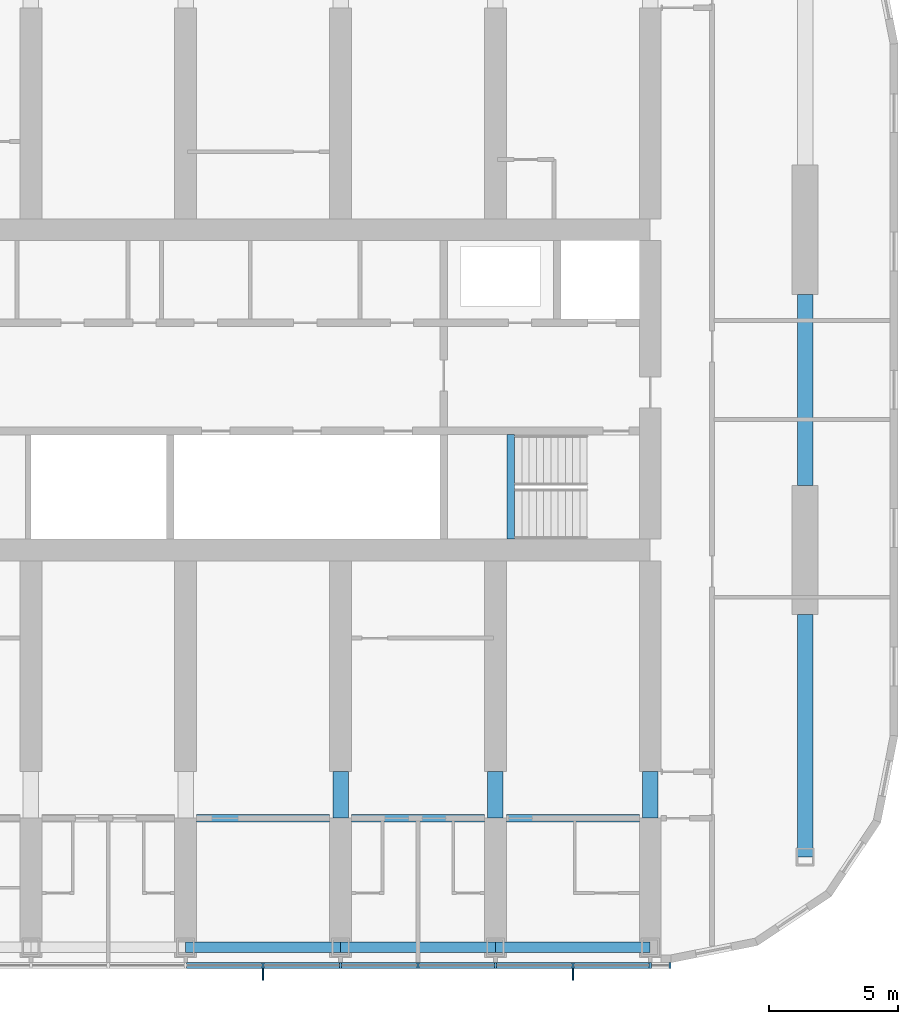
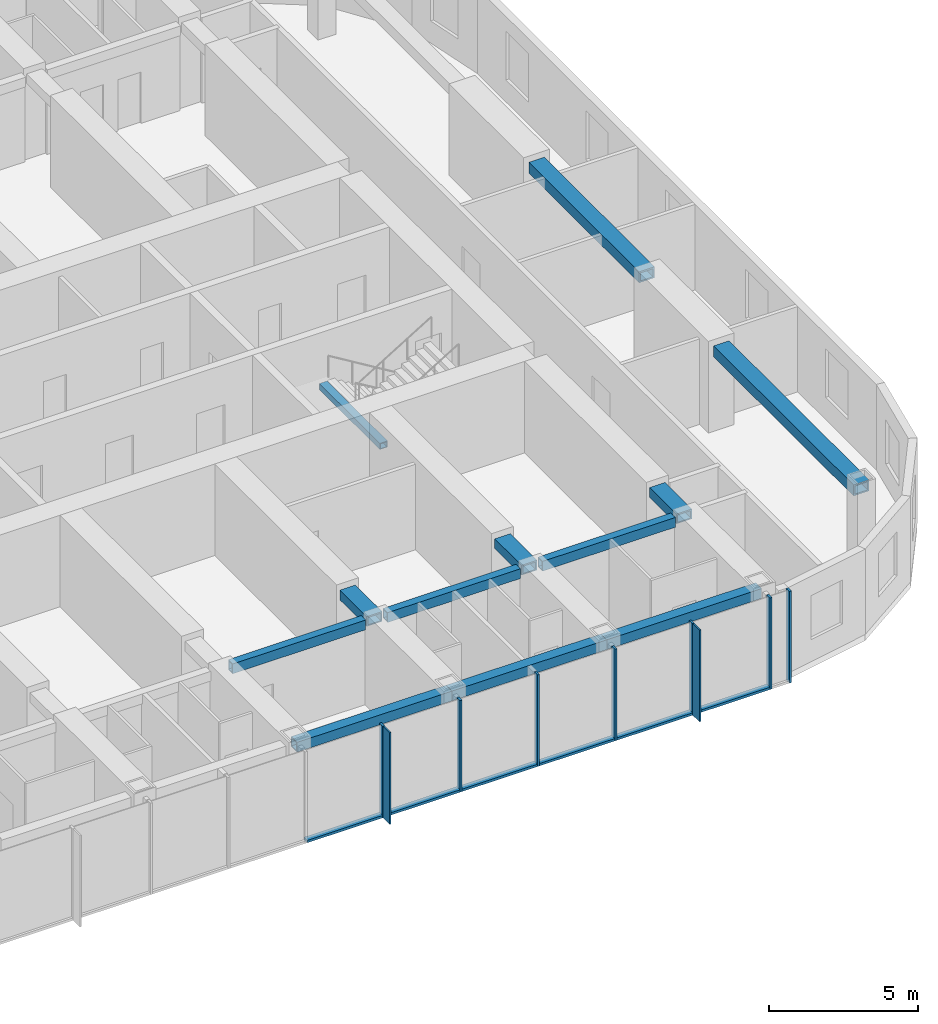
# One storey, part 3 of 22: 15 members, 12 beams, 1 element without a shape of its own.
"""IFC4 building model written with IfcOpenShell, lengths in metres."""

from ifc_helpers import new_model, si_unit, direction, frame, origin, origin_2d, place, context, subcontext, project, spatial, rectangle, hollow_rectangle, extrude, material, material_profile, profile_set, type_object, element, aggregate, save


model = new_model("IFC4")

# Units and contexts
model_context = context("Model", 3, precision=1e-05, world=origin(), true_north=direction((0.0, 1.0)))
body_context = subcontext(model_context, "Body", "Model", "MODEL_VIEW")
ifc_project = project(units=[si_unit("LENGTHUNIT", "METRE"), si_unit("AREAUNIT", "SQUARE_METRE"), si_unit("VOLUMEUNIT", "CUBIC_METRE"), si_unit("PLANEANGLEUNIT", "RADIAN"), si_unit("MASSUNIT", "GRAM", prefix="KILO")], contexts=[model_context])

# Site, building, storey
site_placement = place(None, origin())
site = spatial("IfcSite", under=ifc_project, at=site_placement, CompositionType="ELEMENT")
building_placement = place(site_placement, origin())
building = spatial("IfcBuilding", under=site, at=building_placement, Name="Orbita Commons", CompositionType="ELEMENT")
storey_placement = place(building_placement, frame((0.0, 0.0, 167.35009765625)))
storey = spatial("IfcBuildingStorey", under=building, at=storey_placement, Name="L41", CompositionType="ELEMENT", Elevation=167.35009765625)

# Curtain wall, members
ifc_material_1 = material(Name="Anodised aluminium frame, pale silver", Category="aluminium")
curtain_wall_type = type_object("IfcCurtainWallType", Name="Unitised curtain wall CW-U, full-height vision", PredefinedType="NOTDEFINED", material=ifc_material_1)
curtain_wall_placement = place(storey_placement, origin())
curtain_wall = element("IfcCurtainWall", 1, at=curtain_wall_placement, inside=storey, type_object=curtain_wall_type, Name="Curtain wall south L41", PredefinedType="NOTDEFINED")
ifc_material_2 = material(Name="Anodised aluminium, pale silver", Category="aluminium")
ifc_material_profile_1 = material_profile(ifc_material_2, rectangle(XDim=0.080078125, YDim=0.219970703125, at=origin_2d()), Name="AL 80x220")
ifc_profile_set_1 = profile_set([ifc_material_profile_1], Name="Anodised aluminium, pale silver")
member_type_1 = type_object("IfcMemberType", Name="Curtain wall mullion 80x220", PredefinedType="MULLION", material=ifc_profile_set_1)
member_1_placement = place(storey_placement, frame((51.0, 9.68994140625, -0.25), z_axis=(0.0, 0.0, 1.0), x_axis=(1.0, 0.0, 0.0)))
member_1 = element("IfcMember", 2, at=member_1_placement, type_object=member_type_1, Name="Mullion 13 CW-L41-S", PredefinedType="MULLION", context=body_context, shape_type="SweptSolid", body=[
    extrude(rectangle(XDim=0.080078125, YDim=0.219970703125, at=origin_2d()), origin(), (0.0, 0.0, 1.0), 3.75),
])
member_2_placement = place(storey_placement, frame((54.0, 9.68994140625, -0.25), z_axis=(0.0, 0.0, 1.0), x_axis=(1.0, 0.0, 0.0)))
member_2 = element("IfcMember", 3, at=member_2_placement, type_object=member_type_1, Name="Mullion 14 CW-L41-S", PredefinedType="MULLION", context=body_context, shape_type="SweptSolid", body=[
    extrude(rectangle(XDim=0.080078125, YDim=0.219970703125, at=origin_2d()), origin(), (0.0, 0.0, 1.0), 3.75),
])
member_3_placement = place(storey_placement, frame((57.0, 9.68994140625, -0.25), z_axis=(0.0, 0.0, 1.0), x_axis=(1.0, 0.0, 0.0)))
member_3 = element("IfcMember", 4, at=member_3_placement, type_object=member_type_1, Name="Mullion 15 CW-L41-S", PredefinedType="MULLION", context=body_context, shape_type="SweptSolid", body=[
    extrude(rectangle(XDim=0.080078125, YDim=0.219970703125, at=origin_2d()), origin(), (0.0, 0.0, 1.0), 3.75),
])
member_4_placement = place(storey_placement, frame((60.0, 9.68994140625, -0.25), z_axis=(0.0, 0.0, 1.0), x_axis=(1.0, 0.0, 0.0)))
member_4 = element("IfcMember", 5, at=member_4_placement, type_object=member_type_1, Name="Mullion 16 CW-L41-S", PredefinedType="MULLION", context=body_context, shape_type="SweptSolid", body=[
    extrude(rectangle(XDim=0.080078125, YDim=0.219970703125, at=origin_2d()), origin(), (0.0, 0.0, 1.0), 3.75),
])
member_5_placement = place(storey_placement, frame((63.0, 9.68994140625, -0.25), z_axis=(0.0, 0.0, 1.0), x_axis=(1.0, 0.0, 0.0)))
member_5 = element("IfcMember", 6, at=member_5_placement, type_object=member_type_1, Name="Mullion 17 CW-L41-S", PredefinedType="MULLION", context=body_context, shape_type="SweptSolid", body=[
    extrude(rectangle(XDim=0.080078125, YDim=0.219970703125, at=origin_2d()), origin(), (0.0, 0.0, 1.0), 3.75),
])
member_6_placement = place(storey_placement, frame((66.0, 9.68994140625, -0.25), z_axis=(0.0, 0.0, 1.0), x_axis=(1.0, 0.0, 0.0)))
member_6 = element("IfcMember", 7, at=member_6_placement, type_object=member_type_1, Name="Mullion 18 CW-L41-S", PredefinedType="MULLION", context=body_context, shape_type="SweptSolid", body=[
    extrude(rectangle(XDim=0.080078125, YDim=0.219970703125, at=origin_2d()), origin(), (0.0, 0.0, 1.0), 3.75),
])
member_7_placement = place(storey_placement, frame((66.760009765625, 9.68994140625, -0.25), z_axis=(0.0, 0.0, 1.0), x_axis=(1.0, 0.0, 0.0)))
member_7 = element("IfcMember", 8, at=member_7_placement, type_object=member_type_1, Name="Mullion 19 CW-L41-S", PredefinedType="MULLION", context=body_context, shape_type="SweptSolid", body=[
    extrude(rectangle(XDim=0.080078125, YDim=0.219970703125, at=origin_2d()), origin(), (0.0, 0.0, 1.0), 3.75),
])
ifc_material_3 = material(Name="Anodised aluminium, pale silver", Category="aluminium")
ifc_material_profile_2 = material_profile(ifc_material_3, rectangle(XDim=0.219970703125, YDim=0.10009765625, at=origin_2d()), Name="AL 220x100")
ifc_profile_set_2 = profile_set([ifc_material_profile_2], Name="Anodised aluminium, pale silver")
member_type_2 = type_object("IfcMemberType", Name="Curtain wall stack transom 220x100", PredefinedType="USERDEFINED", material=ifc_profile_set_2)
member_8_placement = place(storey_placement, frame((48.0400390625, 9.68994140625, -0.2001953125), z_axis=(1.0, 0.0, 0.0), x_axis=(0.0, 1.0, 0.0)))
member_8 = element("IfcMember", 9, at=member_8_placement, type_object=member_type_2, Name="Transom 12.1 CW-L41-S", ObjectType="TRANSOM", PredefinedType="USERDEFINED", context=body_context, shape_type="SweptSolid", body=[
    extrude(rectangle(XDim=0.219970703125, YDim=0.10009765625, at=origin_2d()), origin(), (0.0, 0.0, 1.0), 2.919921875),
])
member_9_placement = place(storey_placement, frame((51.0400390625, 9.68994140625, -0.2001953125), z_axis=(1.0, 0.0, 0.0), x_axis=(0.0, 1.0, 0.0)))
member_9 = element("IfcMember", 10, at=member_9_placement, type_object=member_type_2, Name="Transom 13.1 CW-L41-S", ObjectType="TRANSOM", PredefinedType="USERDEFINED", context=body_context, shape_type="SweptSolid", body=[
    extrude(rectangle(XDim=0.219970703125, YDim=0.10009765625, at=origin_2d()), origin(), (0.0, 0.0, 1.0), 2.919921875),
])
member_10_placement = place(storey_placement, frame((54.0400390625, 9.68994140625, -0.2001953125), z_axis=(1.0, 0.0, 0.0), x_axis=(0.0, 1.0, 0.0)))
member_10 = element("IfcMember", 11, at=member_10_placement, type_object=member_type_2, Name="Transom 14.1 CW-L41-S", ObjectType="TRANSOM", PredefinedType="USERDEFINED", context=body_context, shape_type="SweptSolid", body=[
    extrude(rectangle(XDim=0.219970703125, YDim=0.10009765625, at=origin_2d()), origin(), (0.0, 0.0, 1.0), 2.919921875),
])
member_11_placement = place(storey_placement, frame((57.0400390625, 9.68994140625, -0.2001953125), z_axis=(1.0, 0.0, 0.0), x_axis=(0.0, 1.0, 0.0)))
member_11 = element("IfcMember", 12, at=member_11_placement, type_object=member_type_2, Name="Transom 15.1 CW-L41-S", ObjectType="TRANSOM", PredefinedType="USERDEFINED", context=body_context, shape_type="SweptSolid", body=[
    extrude(rectangle(XDim=0.219970703125, YDim=0.10009765625, at=origin_2d()), origin(), (0.0, 0.0, 1.0), 2.919921875),
])
member_12_placement = place(storey_placement, frame((60.0400390625, 9.68994140625, -0.2001953125), z_axis=(1.0, 0.0, 0.0), x_axis=(0.0, 1.0, 0.0)))
member_12 = element("IfcMember", 13, at=member_12_placement, type_object=member_type_2, Name="Transom 16.1 CW-L41-S", ObjectType="TRANSOM", PredefinedType="USERDEFINED", context=body_context, shape_type="SweptSolid", body=[
    extrude(rectangle(XDim=0.219970703125, YDim=0.10009765625, at=origin_2d()), origin(), (0.0, 0.0, 1.0), 2.919921875),
])
member_13_placement = place(storey_placement, frame((63.0400390625, 9.68994140625, -0.2001953125), z_axis=(1.0, 0.0, 0.0), x_axis=(0.0, 1.0, 0.0)))
member_13 = element("IfcMember", 14, at=member_13_placement, type_object=member_type_2, Name="Transom 17.1 CW-L41-S", ObjectType="TRANSOM", PredefinedType="USERDEFINED", context=body_context, shape_type="SweptSolid", body=[
    extrude(rectangle(XDim=0.219970703125, YDim=0.10009765625, at=origin_2d()), origin(), (0.0, 0.0, 1.0), 2.919921875),
])

# Beams
ifc_material_4 = material(Name="Steel ASTM A572 Gr 50 welded plate", Category="steel")
ifc_material_profile_3 = material_profile(ifc_material_4, hollow_rectangle(XDim=0.300048828125, YDim=0.25, WallThickness=0.02490234375, at=origin_2d()), Name="BOX 250x300x25")
ifc_profile_set_3 = profile_set([ifc_material_profile_3], Name="Steel ASTM A572 Gr 50 welded plate")
beam_type_1 = type_object("IfcBeamType", Name="Stair landing beam steel BOX 250x300x25", PredefinedType="BEAM", material=ifc_profile_set_3)
beam_1_placement = place(storey_placement, frame((60.60009765625, 26.2099609375, 1.5498046875), z_axis=(0.0, 1.0, 0.0), x_axis=(-1.0, 0.0, 0.0)))
element("IfcBeam", 15, at=beam_1_placement, inside=storey, type_object=beam_type_1, Name="Stair S2 landing beam L41 1", PredefinedType="BEAM", context=body_context, shape_type="SweptSolid", body=[
    extrude(hollow_rectangle(XDim=0.300048828125, YDim=0.25, WallThickness=0.02490234375, at=origin_2d()), origin(), (0.0, 0.0, 1.0), 4.054931640625),
])
ifc_material_5 = material(Name="Steel ASTM A572 Gr 50 welded plate", Category="steel")
ifc_material_profile_4 = material_profile(ifc_material_5, hollow_rectangle(XDim=0.300048828125, YDim=0.39990234375, WallThickness=0.0400390625, at=origin_2d()), Name="BOX 400x300x40")
ifc_profile_set_4 = profile_set([ifc_material_profile_4], Name="Steel ASTM A572 Gr 50 welded plate")
beam_type_2 = type_object("IfcBeamType", Name="Steel corridor link BOX 400x300x40", PredefinedType="BEAM", material=ifc_profile_set_4)
for number, where, z_axis, x_axis, name in (
    (16, (48.425048828125, 15.39990234375, 3.2998046875), (1.0, 0.0, 0.0), (0.0, 1.0, 0.0), "Corridor beam SA 9-10 L41"),
    (17, (54.425048828125, 15.39990234375, 3.2998046875), (1.0, 0.0, 0.0), (0.0, 1.0, 0.0), "Corridor beam SA 10-11 L41"),
    (18, (60.425048828125, 15.39990234375, 3.2998046875), (1.0, 0.0, 0.0), (0.0, 1.0, 0.0), "Corridor beam SA 11-12 L41"),
):
    element("IfcBeam", number, at=place(storey_placement, frame(where, z_axis=z_axis, x_axis=x_axis)), inside=storey, type_object=beam_type_2, Name=name, PredefinedType="BEAM", context=body_context, shape_type="SweptSolid", body=[
        extrude(hollow_rectangle(XDim=0.300048828125, YDim=0.39990234375, WallThickness=0.0400390625, at=origin_2d()), origin(), (0.0, 0.0, 1.0), 5.14990234375),
    ])
ifc_material_6 = material(Name="Steel ASTM A572 Gr 50 welded plate", Category="steel")
ifc_material_profile_5 = material_profile(ifc_material_6, hollow_rectangle(XDim=0.60009765625, YDim=0.39990234375, WallThickness=0.050048828125, at=origin_2d()), Name="BOX 400x600x50")
ifc_profile_set_5 = profile_set([ifc_material_profile_5], Name="Steel ASTM A572 Gr 50 welded plate")
beam_type_3 = type_object("IfcBeamType", Name="Steel coupling link BOX 400x600x50", PredefinedType="LINTEL", material=ifc_profile_set_5)
for number, where, z_axis, x_axis, name in (
    (19, (54.0, 15.39990234375, 3.2998046875), (0.0, 1.0, 0.0), (-1.0, 0.0, 0.0), "Coupling beam 10 south L41"),
    (20, (60.0, 15.39990234375, 3.2998046875), (0.0, 1.0, 0.0), (-1.0, 0.0, 0.0), "Coupling beam 11 south L41"),
    (21, (66.0, 15.39990234375, 3.2998046875), (0.0, 1.0, 0.0), (-1.0, 0.0, 0.0), "Coupling beam 12 south L41"),
):
    element("IfcBeam", number, at=place(storey_placement, frame(where, z_axis=z_axis, x_axis=x_axis)), inside=storey, type_object=beam_type_3, Name=name, PredefinedType="LINTEL", context=body_context, shape_type="SweptSolid", body=[
        extrude(hollow_rectangle(XDim=0.60009765625, YDim=0.39990234375, WallThickness=0.050048828125, at=origin_2d()), origin(), (0.0, 0.0, 1.0), 1.800048828125),
    ])
ifc_material_7 = material(Name="Steel ASTM A572 Gr 50 welded plate", Category="steel")
ifc_material_profile_6 = material_profile(ifc_material_7, hollow_rectangle(XDim=0.60009765625, YDim=0.449951171875, WallThickness=0.06005859375, at=origin_2d()), Name="BOX 450x600x60")
ifc_profile_set_6 = profile_set([ifc_material_profile_6], Name="Steel ASTM A572 Gr 50 welded plate")
beam_type_4 = type_object("IfcBeamType", Name="Steel end frame link BOX 450x600x60", PredefinedType="BEAM", material=ifc_profile_set_6)
beam_2_placement = place(storey_placement, frame((72.0, 13.89990234375, 3.27490234375), z_axis=(0.0, 1.0, 0.0), x_axis=(-1.0, 0.0, 0.0)))
element("IfcBeam", 22, at=beam_2_placement, inside=storey, type_object=beam_type_4, Name="End frame beam 13 B-C L41", PredefinedType="BEAM", context=body_context, shape_type="SweptSolid", body=[
    extrude(hollow_rectangle(XDim=0.60009765625, YDim=0.449951171875, WallThickness=0.06005859375, at=origin_2d()), origin(), (0.0, 0.0, 1.0), 9.400146484375),
])
beam_3_placement = place(storey_placement, frame((72.0, 28.300048828125, 3.27490234375), z_axis=(0.0, 1.0, 0.0), x_axis=(-1.0, 0.0, 0.0)))
element("IfcBeam", 23, at=beam_3_placement, inside=storey, type_object=beam_type_4, Name="End frame beam 13 C-D L41", PredefinedType="BEAM", context=body_context, shape_type="SweptSolid", body=[
    extrude(hollow_rectangle(XDim=0.60009765625, YDim=0.449951171875, WallThickness=0.06005859375, at=origin_2d()), origin(), (0.0, 0.0, 1.0), 7.39990234375),
])
ifc_material_8 = material(Name="Steel ASTM A572 Gr 50 welded plate", Category="steel")
ifc_material_profile_7 = material_profile(ifc_material_8, hollow_rectangle(XDim=0.39990234375, YDim=0.39990234375, WallThickness=0.0400390625, at=origin_2d()), Name="BOX 400x400x40")
ifc_profile_set_7 = profile_set([ifc_material_profile_7], Name="Steel ASTM A572 Gr 50 welded plate")
beam_type_5 = type_object("IfcBeamType", Name="Steel spandrel BOX 400x400x40", PredefinedType="SPANDREL", material=ifc_profile_set_7)
for number, where, z_axis, x_axis, name in (
    (24, (48.0, 10.39990234375, 3.2998046875), (1.0, 0.0, 0.0), (0.0, 1.0, 0.0), "Spandrel beam B 9-10 L41"),
    (25, (54.0, 10.39990234375, 3.2998046875), (1.0, 0.0, 0.0), (0.0, 1.0, 0.0), "Spandrel beam B 10-11 L41"),
    (26, (60.0, 10.39990234375, 3.2998046875), (1.0, 0.0, 0.0), (0.0, 1.0, 0.0), "Spandrel beam B 11-12 L41"),
):
    element("IfcBeam", number, at=place(storey_placement, frame(where, z_axis=z_axis, x_axis=x_axis)), inside=storey, type_object=beam_type_5, Name=name, PredefinedType="SPANDREL", context=body_context, shape_type="SweptSolid", body=[
        extrude(hollow_rectangle(XDim=0.39990234375, YDim=0.39990234375, WallThickness=0.0400390625, at=origin_2d()), origin(), (0.0, 0.0, 1.0), 6.0),
    ])

# Member
ifc_material_9 = material(Name="Anodised aluminium, pale silver", Category="aluminium")
ifc_material_profile_8 = material_profile(ifc_material_9, rectangle(XDim=0.06005859375, YDim=0.449951171875, at=origin_2d()), Name="FIN 60x450")
ifc_profile_set_8 = profile_set([ifc_material_profile_8], Name="Anodised aluminium, pale silver")
member_type_3 = type_object("IfcMemberType", Name="Vertical fin 60x450 pale aluminium", PredefinedType="USERDEFINED", material=ifc_profile_set_8)
member_14_placement = place(storey_placement, frame((51.0, 9.35498046875, -0.25), z_axis=(0.0, 0.0, 1.0), x_axis=(1.0, 0.0, 0.0)))
member_14 = element("IfcMember", 27, at=member_14_placement, type_object=member_type_3, Name="Fin 13 CW-L41-S", ObjectType="FIN", PredefinedType="USERDEFINED", context=body_context, shape_type="SweptSolid", body=[
    extrude(rectangle(XDim=0.06005859375, YDim=0.449951171875, at=origin_2d()), origin(), (0.0, 0.0, 1.0), 3.75),
])

member_15_placement = place(storey_placement, frame((63.0, 9.35498046875, -0.25), z_axis=(0.0, 0.0, 1.0), x_axis=(1.0, 0.0, 0.0)))
member_15 = element("IfcMember", 28, at=member_15_placement, type_object=member_type_3, Name="Fin 17 CW-L41-S", ObjectType="FIN", PredefinedType="USERDEFINED", context=body_context, shape_type="SweptSolid", body=[
    extrude(rectangle(XDim=0.06005859375, YDim=0.449951171875, at=origin_2d()), origin(), (0.0, 0.0, 1.0), 3.75),
])

aggregate(curtain_wall, [member_1, member_14, member_2, member_3, member_4, member_5, member_15, member_6, member_7, member_8, member_9, member_10, member_11, member_12, member_13])

save(model, "model.ifc")
